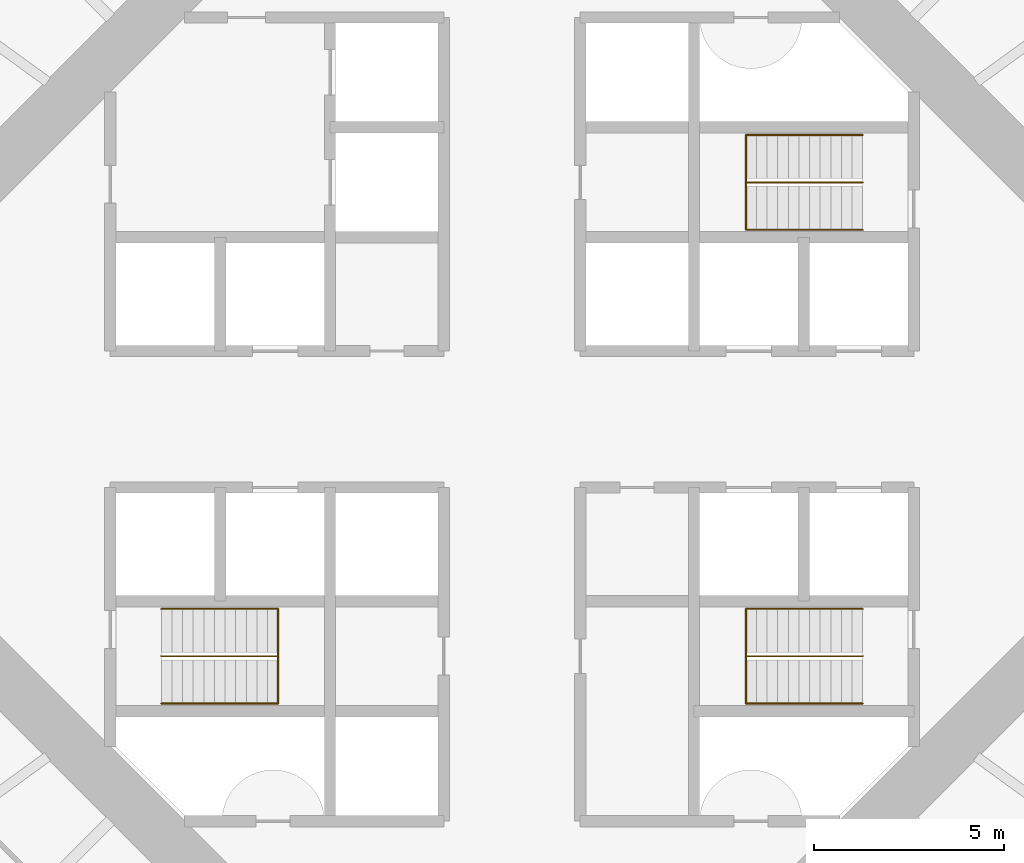
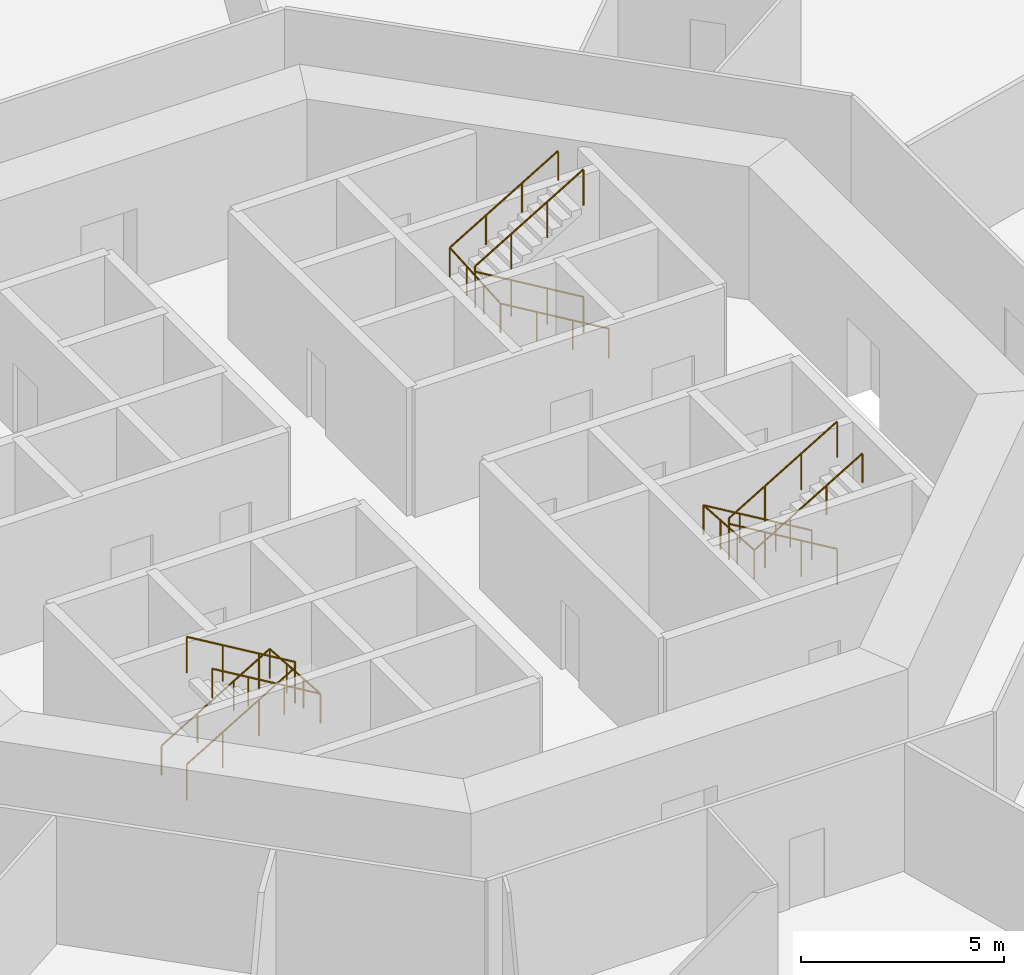
# One storey, part 13 of 13: 6 railings.
"""IFC4 building model written with IfcOpenShell, lengths in metres."""

from ifc_helpers import new_model, si_unit, direction, frame, origin, origin_2d, place, context, subcontext, project, spatial, circle, extrude, material, type_object, element, save


model = new_model("IFC4")

# Units and contexts
model_context = context("Model", 3, precision=1e-05, world=origin(), true_north=direction((0.0, 1.0)))
body_context = subcontext(model_context, "Body", "Model", "MODEL_VIEW")
ifc_project = project(units=[si_unit("LENGTHUNIT", "METRE"), si_unit("AREAUNIT", "SQUARE_METRE"), si_unit("VOLUMEUNIT", "CUBIC_METRE"), si_unit("PLANEANGLEUNIT", "RADIAN"), si_unit("MASSUNIT", "GRAM", prefix="KILO")], contexts=[model_context])

# Site, building, storey
site_placement = place(None, origin())
site = spatial("IfcSite", under=ifc_project, at=site_placement, CompositionType="ELEMENT")
building_placement = place(site_placement, origin())
building = spatial("IfcBuilding", under=site, at=building_placement, Name="Entoto Ring Tower", CompositionType="ELEMENT")
storey_placement = place(building_placement, frame((0.0, 0.0, 22.0)))
storey = spatial("IfcBuildingStorey", under=building, at=storey_placement, Name="L03", CompositionType="ELEMENT", Elevation=22.0)

# Railings
ifc_material_1 = material(Name="Steel S275", Category="steel")
railing_type_1 = type_object("IfcRailingType", Name="Stair guard 1100 mm steel", PredefinedType="GUARDRAIL", material=ifc_material_1)
railing_1_placement = place(storey_placement, frame((99.25, 86.25, 0.166748046875)))
element("IfcRailing", 1, at=railing_1_placement, inside=storey, type_object=railing_type_1, Name="Guard ST1", PredefinedType="GUARDRAIL", context=body_context, shape_type="SweptSolid", body=[
    extrude(circle(Radius=0.02392578125, at=origin_2d()), frame((0.0, 0.0, 1.076171875), z_axis=(-0.859308565015, 0.0, 0.511457515432), x_axis=(0.0, -1.0, 0.0)), (0.0, 0.0, 1.0), 3.58447265625),
    extrude(circle(Radius=0.02392578125, at=origin_2d()), frame((-3.080078125, 0.0, 2.9091796875), z_axis=(0.0, 0.0, 1.0), x_axis=(1.0, 0.0, 0.0)), (0.0, 0.0, 1.0), 0.166748046875),
    extrude(circle(Radius=0.02392578125, at=origin_2d()), frame((-3.080078125, 0.0, 3.076171875), z_axis=(0.859308565015, 0.0, 0.511457515432), x_axis=(0.0, 1.0, 0.0)), (0.0, 0.0, 1.0), 3.58447265625),
    extrude(circle(Radius=0.02099609375, at=origin_2d()), origin(), (0.0, 0.0, 1.0), 1.052001953125),
    extrude(circle(Radius=0.02099609375, at=origin_2d()), frame((-1.026611328125, 0.0, 0.611083984375)), (0.0, 0.0, 1.0), 1.052001953125),
    extrude(circle(Radius=0.02099609375, at=origin_2d()), frame((-2.053466796875, 0.0, 1.22216796875)), (0.0, 0.0, 1.0), 1.052001953125),
    extrude(circle(Radius=0.02099609375, at=origin_2d()), frame((-3.080078125, 0.0, 1.833251953125)), (0.0, 0.0, 1.0), 1.052001953125),
    extrude(circle(Radius=0.02099609375, at=origin_2d()), frame((-3.080078125, 0.0, 2.0)), (0.0, 0.0, 1.0), 1.052001953125),
    extrude(circle(Radius=0.02099609375, at=origin_2d()), frame((-2.053466796875, 0.0, 2.611083984375)), (0.0, 0.0, 1.0), 1.052001953125),
    extrude(circle(Radius=0.02099609375, at=origin_2d()), frame((-1.026611328125, 0.0, 3.22216796875)), (0.0, 0.0, 1.0), 1.052001953125),
    extrude(circle(Radius=0.02099609375, at=origin_2d()), frame((0.0, 0.0, 3.833251953125)), (0.0, 0.0, 1.0), 1.052001953125),
])
railing_2_placement = place(storey_placement, frame((80.75, 73.75, 0.166748046875)))
element("IfcRailing", 2, at=railing_2_placement, inside=storey, type_object=railing_type_1, Name="Guard ST2", PredefinedType="GUARDRAIL", context=body_context, shape_type="SweptSolid", body=[
    extrude(circle(Radius=0.02392578125, at=origin_2d()), frame((0.0, 0.0, 1.076171875), z_axis=(0.859308565015, 0.0, 0.511457515432), x_axis=(0.0, 1.0, 0.0)), (0.0, 0.0, 1.0), 3.58447265625),
    extrude(circle(Radius=0.02392578125, at=origin_2d()), frame((3.080078125, 0.0, 2.9091796875), z_axis=(0.0, 0.0, 1.0), x_axis=(1.0, 0.0, 0.0)), (0.0, 0.0, 1.0), 0.166748046875),
    extrude(circle(Radius=0.02392578125, at=origin_2d()), frame((3.080078125, 0.0, 3.076171875), z_axis=(-0.859308565015, 0.0, 0.511457515432), x_axis=(0.0, -1.0, 0.0)), (0.0, 0.0, 1.0), 3.58447265625),
    extrude(circle(Radius=0.02099609375, at=origin_2d()), origin(), (0.0, 0.0, 1.0), 1.052001953125),
    extrude(circle(Radius=0.02099609375, at=origin_2d()), frame((1.026611328125, 0.0, 0.611083984375)), (0.0, 0.0, 1.0), 1.052001953125),
    extrude(circle(Radius=0.02099609375, at=origin_2d()), frame((2.053466796875, 0.0, 1.22216796875)), (0.0, 0.0, 1.0), 1.052001953125),
    extrude(circle(Radius=0.02099609375, at=origin_2d()), frame((3.080078125, 0.0, 1.833251953125)), (0.0, 0.0, 1.0), 1.052001953125),
    extrude(circle(Radius=0.02099609375, at=origin_2d()), frame((3.080078125, 0.0, 2.0)), (0.0, 0.0, 1.0), 1.052001953125),
    extrude(circle(Radius=0.02099609375, at=origin_2d()), frame((2.053466796875, 0.0, 2.611083984375)), (0.0, 0.0, 1.0), 1.052001953125),
    extrude(circle(Radius=0.02099609375, at=origin_2d()), frame((1.026611328125, 0.0, 3.22216796875)), (0.0, 0.0, 1.0), 1.052001953125),
    extrude(circle(Radius=0.02099609375, at=origin_2d()), frame((0.0, 0.0, 3.833251953125)), (0.0, 0.0, 1.0), 1.052001953125),
])
railing_3_placement = place(storey_placement, frame((99.25, 73.75, 0.166748046875)))
element("IfcRailing", 3, at=railing_3_placement, inside=storey, type_object=railing_type_1, Name="Guard ST3", PredefinedType="GUARDRAIL", context=body_context, shape_type="SweptSolid", body=[
    extrude(circle(Radius=0.02392578125, at=origin_2d()), frame((0.0, 0.0, 1.076171875), z_axis=(-0.859308565015, 0.0, 0.511457515432), x_axis=(0.0, -1.0, 0.0)), (0.0, 0.0, 1.0), 3.58447265625),
    extrude(circle(Radius=0.02392578125, at=origin_2d()), frame((-3.080078125, 0.0, 2.9091796875), z_axis=(0.0, 0.0, 1.0), x_axis=(1.0, 0.0, 0.0)), (0.0, 0.0, 1.0), 0.166748046875),
    extrude(circle(Radius=0.02392578125, at=origin_2d()), frame((-3.080078125, 0.0, 3.076171875), z_axis=(0.859308565015, 0.0, 0.511457515432), x_axis=(0.0, 1.0, 0.0)), (0.0, 0.0, 1.0), 3.58447265625),
    extrude(circle(Radius=0.02099609375, at=origin_2d()), origin(), (0.0, 0.0, 1.0), 1.052001953125),
    extrude(circle(Radius=0.02099609375, at=origin_2d()), frame((-1.026611328125, 0.0, 0.611083984375)), (0.0, 0.0, 1.0), 1.052001953125),
    extrude(circle(Radius=0.02099609375, at=origin_2d()), frame((-2.053466796875, 0.0, 1.22216796875)), (0.0, 0.0, 1.0), 1.052001953125),
    extrude(circle(Radius=0.02099609375, at=origin_2d()), frame((-3.080078125, 0.0, 1.833251953125)), (0.0, 0.0, 1.0), 1.052001953125),
    extrude(circle(Radius=0.02099609375, at=origin_2d()), frame((-3.080078125, 0.0, 2.0)), (0.0, 0.0, 1.0), 1.052001953125),
    extrude(circle(Radius=0.02099609375, at=origin_2d()), frame((-2.053466796875, 0.0, 2.611083984375)), (0.0, 0.0, 1.0), 1.052001953125),
    extrude(circle(Radius=0.02099609375, at=origin_2d()), frame((-1.026611328125, 0.0, 3.22216796875)), (0.0, 0.0, 1.0), 1.052001953125),
    extrude(circle(Radius=0.02099609375, at=origin_2d()), frame((0.0, 0.0, 3.833251953125)), (0.0, 0.0, 1.0), 1.052001953125),
])
ifc_material_2 = material(Name="Steel S275", Category="steel")
railing_type_2 = type_object("IfcRailingType", Name="Stair handrail 900 mm steel", PredefinedType="HANDRAIL", material=ifc_material_2)
railing_4_placement = place(storey_placement, frame((99.25, 85.0, 0.166748046875)))
element("IfcRailing", 4, at=railing_4_placement, inside=storey, type_object=railing_type_2, Name="Handrail ST1", PredefinedType="HANDRAIL", context=body_context, shape_type="SweptSolid", body=[
    extrude(circle(Radius=0.02392578125, at=origin_2d()), frame((0.0, 0.0, 0.8759765625), z_axis=(-0.859308565015, 0.0, 0.511457515432), x_axis=(0.0, -1.0, 0.0)), (0.0, 0.0, 1.0), 3.58447265625),
    extrude(circle(Radius=0.02392578125, at=origin_2d()), frame((-3.080078125, 0.0, 2.708984375), z_axis=(0.0, 0.997783001586, 0.066551346688), x_axis=(-1.0, 0.0, 0.0)), (0.0, 0.0, 1.0), 2.505615234375),
    extrude(circle(Radius=0.02392578125, at=origin_2d()), frame((-3.080078125, 2.5, 2.8759765625), z_axis=(0.859308565015, 0.0, 0.511457515432), x_axis=(0.0, 1.0, 0.0)), (0.0, 0.0, 1.0), 3.58447265625),
    extrude(circle(Radius=0.02099609375, at=origin_2d()), origin(), (0.0, 0.0, 1.0), 0.851806640625),
    extrude(circle(Radius=0.02099609375, at=origin_2d()), frame((-1.026611328125, 0.0, 0.611083984375)), (0.0, 0.0, 1.0), 0.851806640625),
    extrude(circle(Radius=0.02099609375, at=origin_2d()), frame((-2.053466796875, 0.0, 1.22216796875)), (0.0, 0.0, 1.0), 0.851806640625),
    extrude(circle(Radius=0.02099609375, at=origin_2d()), frame((-3.080078125, 0.0, 1.833251953125)), (0.0, 0.0, 1.0), 0.851806640625),
    extrude(circle(Radius=0.02099609375, at=origin_2d()), frame((-3.080078125, 0.833251953125, 1.888916015625)), (0.0, 0.0, 1.0), 0.851806640625),
    extrude(circle(Radius=0.02099609375, at=origin_2d()), frame((-3.080078125, 1.666748046875, 1.9443359375)), (0.0, 0.0, 1.0), 0.851806640625),
    extrude(circle(Radius=0.02099609375, at=origin_2d()), frame((-3.080078125, 2.5, 2.0)), (0.0, 0.0, 1.0), 0.851806640625),
    extrude(circle(Radius=0.02099609375, at=origin_2d()), frame((-2.053466796875, 2.5, 2.611083984375)), (0.0, 0.0, 1.0), 0.851806640625),
    extrude(circle(Radius=0.02099609375, at=origin_2d()), frame((-1.026611328125, 2.5, 3.22216796875)), (0.0, 0.0, 1.0), 0.851806640625),
    extrude(circle(Radius=0.02099609375, at=origin_2d()), frame((0.0, 2.5, 3.833251953125)), (0.0, 0.0, 1.0), 0.851806640625),
])
railing_5_placement = place(storey_placement, frame((80.75, 75.0, 0.166748046875)))
element("IfcRailing", 5, at=railing_5_placement, inside=storey, type_object=railing_type_2, Name="Handrail ST2", PredefinedType="HANDRAIL", context=body_context, shape_type="SweptSolid", body=[
    extrude(circle(Radius=0.02392578125, at=origin_2d()), frame((0.0, 0.0, 0.8759765625), z_axis=(0.859308565015, 0.0, 0.511457515432), x_axis=(0.0, 1.0, 0.0)), (0.0, 0.0, 1.0), 3.58447265625),
    extrude(circle(Radius=0.02392578125, at=origin_2d()), frame((3.080078125, 0.0, 2.708984375), z_axis=(0.0, -0.997783001586, 0.066551346688), x_axis=(1.0, 0.0, 0.0)), (0.0, 0.0, 1.0), 2.505615234375),
    extrude(circle(Radius=0.02392578125, at=origin_2d()), frame((3.080078125, -2.5, 2.8759765625), z_axis=(-0.859308565015, 0.0, 0.511457515432), x_axis=(0.0, -1.0, 0.0)), (0.0, 0.0, 1.0), 3.58447265625),
    extrude(circle(Radius=0.02099609375, at=origin_2d()), origin(), (0.0, 0.0, 1.0), 0.851806640625),
    extrude(circle(Radius=0.02099609375, at=origin_2d()), frame((1.026611328125, 0.0, 0.611083984375)), (0.0, 0.0, 1.0), 0.851806640625),
    extrude(circle(Radius=0.02099609375, at=origin_2d()), frame((2.053466796875, 0.0, 1.22216796875)), (0.0, 0.0, 1.0), 0.851806640625),
    extrude(circle(Radius=0.02099609375, at=origin_2d()), frame((3.080078125, 0.0, 1.833251953125)), (0.0, 0.0, 1.0), 0.851806640625),
    extrude(circle(Radius=0.02099609375, at=origin_2d()), frame((3.080078125, -0.833251953125, 1.888916015625)), (0.0, 0.0, 1.0), 0.851806640625),
    extrude(circle(Radius=0.02099609375, at=origin_2d()), frame((3.080078125, -1.666748046875, 1.9443359375)), (0.0, 0.0, 1.0), 0.851806640625),
    extrude(circle(Radius=0.02099609375, at=origin_2d()), frame((3.080078125, -2.5, 2.0)), (0.0, 0.0, 1.0), 0.851806640625),
    extrude(circle(Radius=0.02099609375, at=origin_2d()), frame((2.053466796875, -2.5, 2.611083984375)), (0.0, 0.0, 1.0), 0.851806640625),
    extrude(circle(Radius=0.02099609375, at=origin_2d()), frame((1.026611328125, -2.5, 3.22216796875)), (0.0, 0.0, 1.0), 0.851806640625),
    extrude(circle(Radius=0.02099609375, at=origin_2d()), frame((0.0, -2.5, 3.833251953125)), (0.0, 0.0, 1.0), 0.851806640625),
])
railing_6_placement = place(storey_placement, frame((99.25, 75.0, 0.166748046875)))
element("IfcRailing", 6, at=railing_6_placement, inside=storey, type_object=railing_type_2, Name="Handrail ST3", PredefinedType="HANDRAIL", context=body_context, shape_type="SweptSolid", body=[
    extrude(circle(Radius=0.02392578125, at=origin_2d()), frame((0.0, 0.0, 0.8759765625), z_axis=(-0.859308565015, 0.0, 0.511457515432), x_axis=(0.0, -1.0, 0.0)), (0.0, 0.0, 1.0), 3.58447265625),
    extrude(circle(Radius=0.02392578125, at=origin_2d()), frame((-3.080078125, 0.0, 2.708984375), z_axis=(0.0, -0.997783001586, 0.066551346688), x_axis=(1.0, 0.0, 0.0)), (0.0, 0.0, 1.0), 2.505615234375),
    extrude(circle(Radius=0.02392578125, at=origin_2d()), frame((-3.080078125, -2.5, 2.8759765625), z_axis=(0.859308565015, 0.0, 0.511457515432), x_axis=(0.0, 1.0, 0.0)), (0.0, 0.0, 1.0), 3.58447265625),
    extrude(circle(Radius=0.02099609375, at=origin_2d()), origin(), (0.0, 0.0, 1.0), 0.851806640625),
    extrude(circle(Radius=0.02099609375, at=origin_2d()), frame((-1.026611328125, 0.0, 0.611083984375)), (0.0, 0.0, 1.0), 0.851806640625),
    extrude(circle(Radius=0.02099609375, at=origin_2d()), frame((-2.053466796875, 0.0, 1.22216796875)), (0.0, 0.0, 1.0), 0.851806640625),
    extrude(circle(Radius=0.02099609375, at=origin_2d()), frame((-3.080078125, 0.0, 1.833251953125)), (0.0, 0.0, 1.0), 0.851806640625),
    extrude(circle(Radius=0.02099609375, at=origin_2d()), frame((-3.080078125, -0.833251953125, 1.888916015625)), (0.0, 0.0, 1.0), 0.851806640625),
    extrude(circle(Radius=0.02099609375, at=origin_2d()), frame((-3.080078125, -1.666748046875, 1.9443359375)), (0.0, 0.0, 1.0), 0.851806640625),
    extrude(circle(Radius=0.02099609375, at=origin_2d()), frame((-3.080078125, -2.5, 2.0)), (0.0, 0.0, 1.0), 0.851806640625),
    extrude(circle(Radius=0.02099609375, at=origin_2d()), frame((-2.053466796875, -2.5, 2.611083984375)), (0.0, 0.0, 1.0), 0.851806640625),
    extrude(circle(Radius=0.02099609375, at=origin_2d()), frame((-1.026611328125, -2.5, 3.22216796875)), (0.0, 0.0, 1.0), 0.851806640625),
    extrude(circle(Radius=0.02099609375, at=origin_2d()), frame((0.0, -2.5, 3.833251953125)), (0.0, 0.0, 1.0), 0.851806640625),
])

save(model, "model.ifc")
